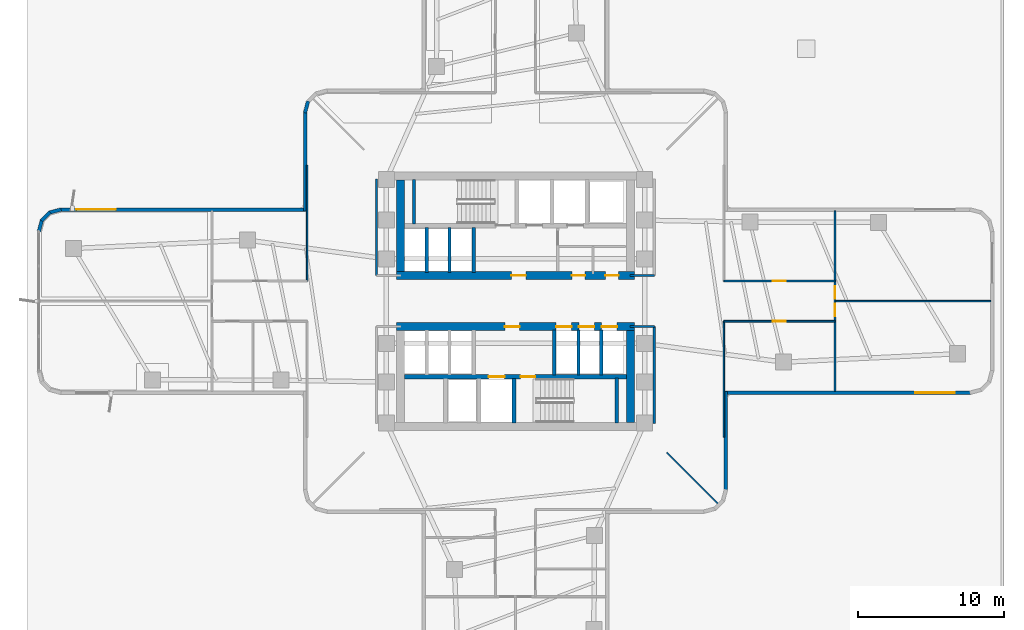
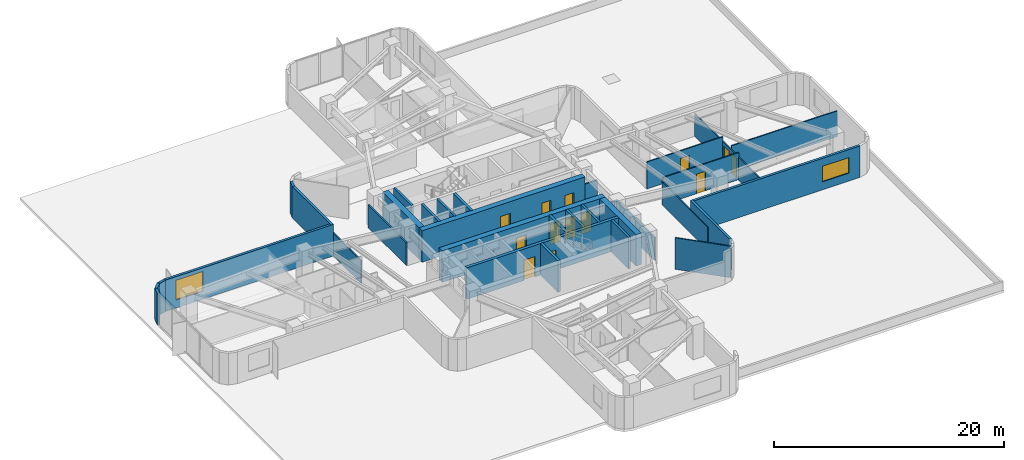
# One storey, part 9 of 14: 33 walls, 13 doors, 2 windows, 15 openings.
"""IFC4 building model written with IfcOpenShell, lengths in metres."""

from ifc_helpers import new_model, si_unit, direction, frame, frame_2d, origin, place, context, subcontext, project, spatial, rectangle, extrude, material, layer, layer_set, type_object, element, fill, save


model = new_model("IFC4")

# Units and contexts
model_context = context("Model", 3, precision=1e-05, world=origin(), true_north=direction((0.0, 1.0)))
body_context = subcontext(model_context, "Body", "Model", "MODEL_VIEW")
ifc_project = project(units=[si_unit("LENGTHUNIT", "METRE"), si_unit("AREAUNIT", "SQUARE_METRE"), si_unit("VOLUMEUNIT", "CUBIC_METRE"), si_unit("PLANEANGLEUNIT", "RADIAN"), si_unit("MASSUNIT", "GRAM", prefix="KILO")], contexts=[model_context])

# Site, building, storey
site_placement = place(None, origin())
site = spatial("IfcSite", under=ifc_project, at=site_placement, CompositionType="ELEMENT")
building_placement = place(site_placement, origin())
building = spatial("IfcBuilding", under=site, at=building_placement, Name="Solmarez Civic Tower", CompositionType="ELEMENT")
storey_placement = place(building_placement, frame((0.0, 0.0, 24.47998046875)))
storey = spatial("IfcBuildingStorey", under=building, at=storey_placement, Name="L05", CompositionType="ELEMENT", Elevation=24.47998046875)

# Wall, openings, doors
ifc_material_1 = material(Name="Concrete C60/75", Category="concrete")
ifc_layer_1 = layer(ifc_material_1, 0.550048828125)
ifc_layer_set_1 = layer_set([ifc_layer_1], Name="Concrete C60/75")
wall_type_1 = type_object("IfcWallType", Name="WALL-CORE-550", PredefinedType="SHEAR", material=ifc_layer_set_1)
wall_1_placement = place(storey_placement, frame((8.169921875, 1.75, 0.0), z_axis=(0.0, 0.0, 1.0), x_axis=(-1.0, 0.0, 0.0)))
wall_1 = element("IfcWall", 1, at=wall_1_placement, inside=storey, type_object=wall_type_1, Name="L05 Split-Core Structural Wall NCW-S-L05", PredefinedType="SHEAR", context=body_context, shape_type="SweptSolid", body=[
    extrude(rectangle(XDim=16.33984375, YDim=0.550048828125, at=frame_2d((8.169921875, 0.0))), origin(), (0.0, 0.0, 1.0), 3.340087890625),
])
opening_1_placement = place(wall_1_placement, frame((7.449951171875, 0.0, 0.0)))
opening_1 = element("IfcOpeningElement", 2, at=opening_1_placement, cuts=wall_1, Name="Opening D-04", PredefinedType="OPENING", context=body_context, shape_type="SweptSolid", body=[
    extrude(rectangle(XDim=1.0, YDim=2.10009765625, at=frame_2d((0.5, 1.050048828125))), frame((0.0, 0.284912109375, 0.0), z_axis=(0.0, -1.0, 0.0), x_axis=(1.0, 0.0, 0.0)), (0.0, 0.0, 1.0), 0.570068359375),
])
opening_2_placement = place(wall_1_placement, frame((3.39990234375, 0.0, 0.0)))
opening_2 = element("IfcOpeningElement", 3, at=opening_2_placement, cuts=wall_1, Name="Opening D-09", PredefinedType="OPENING", context=body_context, shape_type="SweptSolid", body=[
    extrude(rectangle(XDim=0.89990234375, YDim=2.06005859375, at=frame_2d((0.449951171875, 1.030029296875))), frame((0.0, 0.284912109375, 0.0), z_axis=(0.0, -1.0, 0.0), x_axis=(1.0, 0.0, 0.0)), (0.0, 0.0, 1.0), 0.570068359375),
])
opening_3_placement = place(wall_1_placement, frame((1.10009765625, 0.0, 0.0)))
opening_3 = element("IfcOpeningElement", 4, at=opening_3_placement, cuts=wall_1, Name="Opening D-09", PredefinedType="OPENING", context=body_context, shape_type="SweptSolid", body=[
    extrude(rectangle(XDim=0.89990234375, YDim=2.06005859375, at=frame_2d((0.449951171875, 1.030029296875))), frame((0.0, 0.284912109375, 0.0), z_axis=(0.0, -1.0, 0.0), x_axis=(1.0, 0.0, 0.0)), (0.0, 0.0, 1.0), 0.570068359375),
])
ifc_material_2 = material(Name="Steel-Faced Acoustic Fire Door", Category="steel")
door_type_1 = type_object("IfcDoorType", Name="DOOR-FD60-1000", OperationType="NOTDEFINED", PredefinedType="DOOR", material=ifc_material_2)
door_1_placement = place(opening_1_placement, origin())
door_1 = element("IfcDoor", 5, at=door_1_placement, inside=storey, type_object=door_type_1, Name="L05 North Firefighting Lobby Door", OperationType="SINGLE_SWING_RIGHT", OverallHeight=2.10009765625, OverallWidth=1.0, PredefinedType="DOOR", context=body_context, shape_type="SweptSolid", body=[
    extrude(rectangle(XDim=1.0, YDim=2.10009765625, at=frame_2d((0.5, 1.050048828125))), frame((0.0, 0.02490234375, 0.0), z_axis=(0.0, -1.0, 0.0), x_axis=(1.0, 0.0, 0.0)), (0.0, 0.0, 1.0), 0.050048828125),
])
fill(opening_1, door_1)
ifc_material_3 = material(Name="Fire-Rated Service Core Door", Category="wood")
door_type_2 = type_object("IfcDoorType", Name="DOOR-FD60-900", OperationType="NOTDEFINED", PredefinedType="DOOR", material=ifc_material_3)
door_2_placement = place(opening_2_placement, origin())
door_2 = element("IfcDoor", 6, at=door_2_placement, inside=storey, type_object=door_type_2, Name="L05 Core WC Door", OperationType="SINGLE_SWING_LEFT", OverallHeight=2.06005859375, OverallWidth=0.89990234375, PredefinedType="DOOR", context=body_context, shape_type="SweptSolid", body=[
    extrude(rectangle(XDim=0.89990234375, YDim=2.06005859375, at=frame_2d((0.449951171875, 1.030029296875))), frame((0.0, 0.02490234375, 0.0), z_axis=(0.0, -1.0, 0.0), x_axis=(1.0, 0.0, 0.0)), (0.0, 0.0, 1.0), 0.050048828125),
])
fill(opening_2, door_2)
door_3_placement = place(opening_3_placement, origin())
door_3 = element("IfcDoor", 7, at=door_3_placement, inside=storey, type_object=door_type_2, Name="L05 Core CL Door", OperationType="SINGLE_SWING_RIGHT", OverallHeight=2.06005859375, OverallWidth=0.89990234375, PredefinedType="DOOR", context=body_context, shape_type="SweptSolid", body=[
    extrude(rectangle(XDim=0.89990234375, YDim=2.06005859375, at=frame_2d((0.449951171875, 1.030029296875))), frame((0.0, 0.02490234375, 0.0), z_axis=(0.0, -1.0, 0.0), x_axis=(1.0, 0.0, 0.0)), (0.0, 0.0, 1.0), 0.050048828125),
])
fill(opening_3, door_3)

# Wall
wall_2_placement = place(storey_placement, frame((-7.89501953125, 2.02490234375, 0.0), z_axis=(0.0, 0.0, 1.0), x_axis=(0.0, 1.0, 0.0)))
element("IfcWall", 8, at=wall_2_placement, inside=storey, type_object=wall_type_1, Name="L05 Split-Core Structural Wall NCW-W-L05", PredefinedType="SHEAR", context=body_context, shape_type="SweptSolid", body=[
    extrude(rectangle(XDim=6.28515625, YDim=0.550048828125, at=frame_2d((3.142578125, 0.0))), origin(), (0.0, 0.0, 1.0), 3.340087890625),
])

# Wall, openings, doors
wall_3_placement = place(storey_placement, frame((-8.169921875, -1.75, 0.0), z_axis=(0.0, 0.0, 1.0), x_axis=(1.0, 0.0, 0.0)))
wall_3 = element("IfcWall", 9, at=wall_3_placement, inside=storey, type_object=wall_type_1, Name="L05 Split-Core Structural Wall SCW-N-L05", PredefinedType="SHEAR", context=body_context, shape_type="SweptSolid", body=[
    extrude(rectangle(XDim=16.33984375, YDim=0.550048828125, at=frame_2d((8.169921875, 0.0))), origin(), (0.0, 0.0, 1.0), 3.340087890625),
])
opening_4_placement = place(wall_3_placement, frame((7.449951171875, 0.0, 0.0)))
opening_4 = element("IfcOpeningElement", 10, at=opening_4_placement, cuts=wall_3, Name="Opening D-04", PredefinedType="OPENING", context=body_context, shape_type="SweptSolid", body=[
    extrude(rectangle(XDim=1.0, YDim=2.10009765625, at=frame_2d((0.5, 1.050048828125))), frame((0.0, 0.284912109375, 0.0), z_axis=(0.0, -1.0, 0.0), x_axis=(1.0, 0.0, 0.0)), (0.0, 0.0, 1.0), 0.570068359375),
])
opening_5_placement = place(wall_3_placement, frame((10.965087890625, 0.0, 0.0)))
opening_5 = element("IfcOpeningElement", 11, at=opening_5_placement, cuts=wall_3, Name="Opening LD-01", PredefinedType="OPENING", context=body_context, shape_type="SweptSolid", body=[
    extrude(rectangle(XDim=1.050048828125, YDim=2.14990234375, at=frame_2d((0.52490234375, 1.074951171875))), frame((0.0, 0.284912109375, 0.0), z_axis=(0.0, -1.0, 0.0), x_axis=(1.0, 0.0, 0.0)), (0.0, 0.0, 1.0), 0.570068359375),
])
opening_6_placement = place(wall_3_placement, frame((12.52490234375, 0.0, 0.0)))
opening_6 = element("IfcOpeningElement", 12, at=opening_6_placement, cuts=wall_3, Name="Opening LD-01", PredefinedType="OPENING", context=body_context, shape_type="SweptSolid", body=[
    extrude(rectangle(XDim=1.050048828125, YDim=2.14990234375, at=frame_2d((0.52490234375, 1.074951171875))), frame((0.0, 0.284912109375, 0.0), z_axis=(0.0, -1.0, 0.0), x_axis=(1.0, 0.0, 0.0)), (0.0, 0.0, 1.0), 0.570068359375),
])
opening_7_placement = place(wall_3_placement, frame((14.0849609375, 0.0, 0.0)))
opening_7 = element("IfcOpeningElement", 13, at=opening_7_placement, cuts=wall_3, Name="Opening LD-01", PredefinedType="OPENING", context=body_context, shape_type="SweptSolid", body=[
    extrude(rectangle(XDim=1.050048828125, YDim=2.14990234375, at=frame_2d((0.52490234375, 1.074951171875))), frame((0.0, 0.284912109375, 0.0), z_axis=(0.0, -1.0, 0.0), x_axis=(1.0, 0.0, 0.0)), (0.0, 0.0, 1.0), 0.570068359375),
])
door_4_placement = place(opening_4_placement, origin())
door_4 = element("IfcDoor", 14, at=door_4_placement, inside=storey, type_object=door_type_1, Name="L05 South Firefighting Lobby Door", OperationType="SINGLE_SWING_LEFT", OverallHeight=2.10009765625, OverallWidth=1.0, PredefinedType="DOOR", context=body_context, shape_type="SweptSolid", body=[
    extrude(rectangle(XDim=1.0, YDim=2.10009765625, at=frame_2d((0.5, 1.050048828125))), frame((0.0, 0.02490234375, 0.0), z_axis=(0.0, -1.0, 0.0), x_axis=(1.0, 0.0, 0.0)), (0.0, 0.0, 1.0), 0.050048828125),
])
fill(opening_4, door_4)
ifc_material_4 = material(Name="Bronze Passenger Lift Landing Sliding Door", Category="aluminium")
door_type_3 = type_object("IfcDoorType", Name="DOOR-LD-PAX-1050", OperationType="DOUBLE_DOOR_SLIDING", PredefinedType="DOOR", material=ifc_material_4)
door_5_placement = place(opening_5_placement, origin())
door_5 = element("IfcDoor", 15, at=door_5_placement, inside=storey, type_object=door_type_3, Name="L05 Low-Rise Lift Landing Door PL-L1", OperationType="DOUBLE_DOOR_SLIDING", OverallHeight=2.14990234375, OverallWidth=1.050048828125, PredefinedType="DOOR", context=body_context, shape_type="SweptSolid", body=[
    extrude(rectangle(XDim=1.050048828125, YDim=2.14990234375, at=frame_2d((0.52490234375, 1.074951171875))), frame((0.0, 0.02490234375, 0.0), z_axis=(0.0, -1.0, 0.0), x_axis=(1.0, 0.0, 0.0)), (0.0, 0.0, 1.0), 0.050048828125),
])
fill(opening_5, door_5)
door_6_placement = place(opening_6_placement, origin())
door_6 = element("IfcDoor", 16, at=door_6_placement, inside=storey, type_object=door_type_3, Name="L05 Low-Rise Lift Landing Door PL-L2", OperationType="DOUBLE_DOOR_SLIDING", OverallHeight=2.14990234375, OverallWidth=1.050048828125, PredefinedType="DOOR", context=body_context, shape_type="SweptSolid", body=[
    extrude(rectangle(XDim=1.050048828125, YDim=2.14990234375, at=frame_2d((0.52490234375, 1.074951171875))), frame((0.0, 0.02490234375, 0.0), z_axis=(0.0, -1.0, 0.0), x_axis=(1.0, 0.0, 0.0)), (0.0, 0.0, 1.0), 0.050048828125),
])
fill(opening_6, door_6)
door_7_placement = place(opening_7_placement, origin())
door_7 = element("IfcDoor", 17, at=door_7_placement, inside=storey, type_object=door_type_3, Name="L05 Low-Rise Lift Landing Door PL-L3", OperationType="DOUBLE_DOOR_SLIDING", OverallHeight=2.14990234375, OverallWidth=1.050048828125, PredefinedType="DOOR", context=body_context, shape_type="SweptSolid", body=[
    extrude(rectangle(XDim=1.050048828125, YDim=2.14990234375, at=frame_2d((0.52490234375, 1.074951171875))), frame((0.0, 0.02490234375, 0.0), z_axis=(0.0, -1.0, 0.0), x_axis=(1.0, 0.0, 0.0)), (0.0, 0.0, 1.0), 0.050048828125),
])
fill(opening_7, door_7)

# Walls
wall_4_placement = place(storey_placement, frame((7.89501953125, -2.02490234375, 0.0), z_axis=(0.0, 0.0, 1.0), x_axis=(0.0, -1.0, 0.0)))
element("IfcWall", 18, at=wall_4_placement, inside=storey, type_object=wall_type_1, Name="L05 Split-Core Structural Wall SCW-E-L05", PredefinedType="SHEAR", context=body_context, shape_type="SweptSolid", body=[
    extrude(rectangle(XDim=6.28515625, YDim=0.550048828125, at=frame_2d((3.142578125, 0.0))), origin(), (0.0, 0.0, 1.0), 3.340087890625),
])
ifc_material_5 = material(Name="Precast concrete C40/50", Category="concrete")
ifc_layer_2 = layer(ifc_material_5, 0.239990234375)
ifc_layer_set_2 = layer_set([ifc_layer_2], Name="Precast concrete C40/50")
wall_type_2 = type_object("IfcWallType", Name="WALL-EXT-240", PredefinedType="SOLIDWALL", material=ifc_layer_set_2)
wall_5_placement = place(storey_placement, frame((-32.68603515625, 4.760009765625, 0.0), z_axis=(0.0, 0.0, 1.0), x_axis=(0.257937227116, 0.966161677396, 0.0)))
element("IfcWall", 19, at=wall_5_placement, inside=storey, type_object=wall_type_2, Name="L05 Exterior Precast Wall 7", PredefinedType="SOLIDWALL", context=body_context, shape_type="SweptSolid", body=[
    extrude(rectangle(XDim=0.830078125, YDim=0.239990234375, at=frame_2d((0.4150390625, 0.0))), origin(), (0.0, 0.0, 1.0), 3.340087890625),
])
wall_6_placement = place(storey_placement, frame((-32.49609375, 5.52001953125, 0.0), z_axis=(0.0, 0.0, 1.0), x_axis=(0.707256607812, 0.706956922808, 0.0)))
element("IfcWall", 20, at=wall_6_placement, inside=storey, type_object=wall_type_2, Name="L05 Exterior Precast Wall 8", PredefinedType="SOLIDWALL", context=body_context, shape_type="SweptSolid", body=[
    extrude(rectangle(XDim=0.814697265625, YDim=0.239990234375, at=frame_2d((0.4072265625, 0.0))), origin(), (0.0, 0.0, 1.0), 3.340087890625),
])
wall_7_placement = place(storey_placement, frame((-31.9619140625, 6.072021484375, 0.0), z_axis=(0.0, 0.0, 1.0), x_axis=(0.966234939601, 0.25766265056, 0.0)))
element("IfcWall", 21, at=wall_7_placement, inside=storey, type_object=wall_type_2, Name="L05 Exterior Precast Wall 9", PredefinedType="SOLIDWALL", context=body_context, shape_type="SweptSolid", body=[
    extrude(rectangle(XDim=0.830078125, YDim=0.239990234375, at=frame_2d((0.4150390625, 0.0))), origin(), (0.0, 0.0, 1.0), 3.340087890625),
])

# Wall, opening, window
wall_8_placement = place(storey_placement, frame((-31.208984375, 6.280029296875, 0.0), z_axis=(0.0, 0.0, 1.0), x_axis=(1.0, 0.0, 0.0)))
wall_8 = element("IfcWall", 22, at=wall_8_placement, inside=storey, type_object=wall_type_2, Name="L05 Exterior Precast Wall 10", PredefinedType="SOLIDWALL", context=body_context, shape_type="SweptSolid", body=[
    extrude(rectangle(XDim=16.875, YDim=0.239990234375, at=frame_2d((8.4375, 0.0))), origin(), (0.0, 0.0, 1.0), 3.340087890625),
])
opening_8_placement = place(wall_8_placement, frame((1.10009765625, 0.0, 0.85009765625)))
opening_8 = element("IfcOpeningElement", 23, at=opening_8_placement, cuts=wall_8, Name="Opening W-01", PredefinedType="OPENING", context=body_context, shape_type="SweptSolid", body=[
    extrude(rectangle(XDim=2.699951171875, YDim=2.10009765625, at=frame_2d((1.35009765625, 1.050048828125))), frame((0.0, 0.1298828125, 0.0), z_axis=(0.0, -1.0, 0.0), x_axis=(1.0, 0.0, 0.0)), (0.0, 0.0, 1.0), 0.260009765625),
])
ifc_material_6 = material(Name="Solar Control Bronze-Tinted Insulating Glass", Category="glass")
window_type_1 = type_object("IfcWindowType", Name="WIN-2700X2100", PartitioningType="SINGLE_PANEL", PredefinedType="WINDOW", material=ifc_material_6)
window_1_placement = place(opening_8_placement, origin())
window_1 = element("IfcWindow", 24, at=window_1_placement, inside=storey, type_object=window_type_1, Name="L05 Exterior Facade Window 10", OverallHeight=2.10009765625, OverallWidth=2.699951171875, PartitioningType="SINGLE_PANEL", PredefinedType="WINDOW", context=body_context, shape_type="SweptSolid", body=[
    extrude(rectangle(XDim=2.699951171875, YDim=2.10009765625, at=frame_2d((1.35009765625, 1.050048828125))), frame((0.0, 0.030029296875, 0.0), z_axis=(0.0, -1.0, 0.0), x_axis=(1.0, 0.0, 0.0)), (0.0, 0.0, 1.0), 0.06005859375),
])
fill(opening_8, window_1)

# Walls
wall_9_placement = place(storey_placement, frame((-14.429931640625, 6.18408203125, 0.0), z_axis=(0.0, 0.0, 1.0), x_axis=(0.0, 1.0, 0.0)))
element("IfcWall", 25, at=wall_9_placement, inside=storey, type_object=wall_type_2, Name="L05 Exterior Precast Wall 13", PredefinedType="SOLIDWALL", context=body_context, shape_type="SweptSolid", body=[
    extrude(rectangle(XDim=6.77490234375, YDim=0.239990234375, at=frame_2d((3.387451171875, 0.0))), origin(), (0.0, 0.0, 1.0), 3.340087890625),
])
wall_10_placement = place(storey_placement, frame((-14.43603515625, 12.909912109375, 0.0), z_axis=(0.0, 0.0, 1.0), x_axis=(0.257937227116, 0.966161677396, 0.0)))
element("IfcWall", 26, at=wall_10_placement, inside=storey, type_object=wall_type_2, Name="L05 Exterior Precast Wall 14", PredefinedType="SOLIDWALL", context=body_context, shape_type="SweptSolid", body=[
    extrude(rectangle(XDim=0.830078125, YDim=0.239990234375, at=frame_2d((0.4150390625, 0.0))), origin(), (0.0, 0.0, 1.0), 3.340087890625),
])

# Wall, opening, window
wall_11_placement = place(storey_placement, frame((31.208984375, -6.280029296875, 0.0), z_axis=(0.0, 0.0, 1.0), x_axis=(-1.0, 0.0, 0.0)))
wall_11 = element("IfcWall", 27, at=wall_11_placement, inside=storey, type_object=wall_type_2, Name="L05 Exterior Precast Wall 46", PredefinedType="SOLIDWALL", context=body_context, shape_type="SweptSolid", body=[
    extrude(rectangle(XDim=16.875, YDim=0.239990234375, at=frame_2d((8.4375, 0.0))), origin(), (0.0, 0.0, 1.0), 3.340087890625),
])
opening_9_placement = place(wall_11_placement, frame((1.10009765625, 0.0, 0.85009765625)))
opening_9 = element("IfcOpeningElement", 28, at=opening_9_placement, cuts=wall_11, Name="Opening W-09", PredefinedType="OPENING", context=body_context, shape_type="SweptSolid", body=[
    extrude(rectangle(XDim=2.699951171875, YDim=1.64990234375, at=frame_2d((1.35009765625, 0.824951171875))), frame((0.0, 0.1298828125, 0.0), z_axis=(0.0, -1.0, 0.0), x_axis=(1.0, 0.0, 0.0)), (0.0, 0.0, 1.0), 0.260009765625),
])
window_type_2 = type_object("IfcWindowType", Name="WIN-2700X1650", PartitioningType="SINGLE_PANEL", PredefinedType="WINDOW", material=ifc_material_6)
window_2_placement = place(opening_9_placement, origin())
window_2 = element("IfcWindow", 29, at=window_2_placement, inside=storey, type_object=window_type_2, Name="L05 Exterior Facade Window 46", OverallHeight=1.64990234375, OverallWidth=2.699951171875, PartitioningType="SINGLE_PANEL", PredefinedType="WINDOW", context=body_context, shape_type="SweptSolid", body=[
    extrude(rectangle(XDim=2.699951171875, YDim=1.64990234375, at=frame_2d((1.35009765625, 0.824951171875))), frame((0.0, 0.030029296875, 0.0), z_axis=(0.0, -1.0, 0.0), x_axis=(1.0, 0.0, 0.0)), (0.0, 0.0, 1.0), 0.06005859375),
])
fill(opening_9, window_2)

# Walls
wall_12_placement = place(storey_placement, frame((14.429931640625, -6.18408203125, 0.0), z_axis=(0.0, 0.0, 1.0), x_axis=(0.0, -1.0, 0.0)))
element("IfcWall", 30, at=wall_12_placement, inside=storey, type_object=wall_type_2, Name="L05 Exterior Precast Wall 49", PredefinedType="SOLIDWALL", context=body_context, shape_type="SweptSolid", body=[
    extrude(rectangle(XDim=6.77490234375, YDim=0.239990234375, at=frame_2d((3.387451171875, 0.0))), origin(), (0.0, 0.0, 1.0), 3.340087890625),
])
ifc_material_7 = material(Name="Gypsum Board Acoustic Steel-Stud Partition", Category="steel")
ifc_layer_3 = layer(ifc_material_7, 0.14990234375)
ifc_layer_set_3 = layer_set([ifc_layer_3], Name="Gypsum Board Acoustic Steel-Stud Partition")
wall_type_3 = type_object("IfcWallType", Name="WALL-INT-FIRE-150", PredefinedType="PARTITIONING", material=ifc_layer_set_3)
wall_13_placement = place(storey_placement, frame((-9.52001953125, 1.75, 0.0), z_axis=(0.0, 0.0, 1.0), x_axis=(0.0, 1.0, 0.0)))
element("IfcWall", 31, at=wall_13_placement, inside=storey, type_object=wall_type_3, Name="L05 Interior Partition CHW-L05-WN1", PredefinedType="PARTITIONING", context=body_context, shape_type="SweptSolid", body=[
    extrude(rectangle(XDim=6.6298828125, YDim=0.14990234375, at=frame_2d((3.31494140625, 0.0))), origin(), (0.0, 0.0, 1.0), 2.4208984375),
])
wall_14_placement = place(storey_placement, frame((7.85009765625, 1.75, 0.0), z_axis=(0.0, 0.0, 1.0), x_axis=(1.0, 0.0, 0.0)))
element("IfcWall", 32, at=wall_14_placement, inside=storey, type_object=wall_type_3, Name="L05 Interior Partition CHW-L05-EN3", PredefinedType="PARTITIONING", context=body_context, shape_type="SweptSolid", body=[
    extrude(rectangle(XDim=1.669921875, YDim=0.14990234375, at=frame_2d((0.8349609375, 0.0))), origin(), (0.0, 0.0, 1.0), 2.405029296875),
])
wall_15_placement = place(storey_placement, frame((9.52001953125, -8.3798828125, 0.0), z_axis=(0.0, 0.0, 1.0), x_axis=(0.0, 1.0, 0.0)))
element("IfcWall", 33, at=wall_15_placement, inside=storey, type_object=wall_type_3, Name="L05 Interior Partition CHW-L05-ES1", PredefinedType="PARTITIONING", context=body_context, shape_type="SweptSolid", body=[
    extrude(rectangle(XDim=6.6298828125, YDim=0.14990234375, at=frame_2d((3.31494140625, 0.0))), origin(), (0.0, 0.0, 1.0), 2.4208984375),
])
wall_16_placement = place(storey_placement, frame((7.85009765625, -1.75, 0.0), z_axis=(0.0, 0.0, 1.0), x_axis=(1.0, 0.0, 0.0)))
element("IfcWall", 34, at=wall_16_placement, inside=storey, type_object=wall_type_3, Name="L05 Interior Partition CHW-L05-ES3", PredefinedType="PARTITIONING", context=body_context, shape_type="SweptSolid", body=[
    extrude(rectangle(XDim=1.669921875, YDim=0.14990234375, at=frame_2d((0.8349609375, 0.0))), origin(), (0.0, 0.0, 1.0), 2.405029296875),
])
ifc_layer_4 = layer(ifc_material_7, 0.110107421875)
ifc_layer_set_4 = layer_set([ifc_layer_4], Name="Gypsum Board Acoustic Steel-Stud Partition")
wall_type_4 = type_object("IfcWallType", Name="WALL-INT-PART-110", PredefinedType="PARTITIONING", material=ifc_layer_set_4)
wall_17_placement = place(storey_placement, frame((10.3798828125, -10.3798828125, 0.0), z_axis=(0.0, 0.0, 1.0), x_axis=(0.707106781187, -0.707106781187, 0.0)))
element("IfcWall", 35, at=wall_17_placement, inside=storey, type_object=wall_type_4, Name="L05 Interior Partition PT-L05-QDIV-4", PredefinedType="PARTITIONING", context=body_context, shape_type="SweptSolid", body=[
    extrude(rectangle(XDim=4.975341796875, YDim=0.110107421875, at=frame_2d((2.48779296875, 0.0))), origin(), (0.0, 0.0, 1.0), 3.340087890625),
])
wall_18_placement = place(storey_placement, frame((14.2900390625, -9.320068359375, 0.0), z_axis=(0.0, 0.0, 1.0), x_axis=(0.0, 1.0, 0.0)))
element("IfcWall", 36, at=wall_18_placement, inside=storey, type_object=wall_type_4, Name="L05 Interior Partition PT-L05-E-EFR", PredefinedType="PARTITIONING", context=body_context, shape_type="SweptSolid", body=[
    extrude(rectangle(XDim=7.949951171875, YDim=0.110107421875, at=frame_2d((3.97509765625, 0.0))), origin(), (0.0, 0.0, 1.0), 2.4208984375),
])

# Wall, opening, door
wall_19_placement = place(storey_placement, frame((21.909912109375, 1.3798828125, 0.0), z_axis=(0.0, 0.0, 1.0), x_axis=(-1.0, 0.0, 0.0)))
wall_19 = element("IfcWall", 37, at=wall_19_placement, inside=storey, type_object=wall_type_4, Name="L05 Interior Partition PT-L05-E-SL", PredefinedType="PARTITIONING", context=body_context, shape_type="SweptSolid", body=[
    extrude(rectangle(XDim=7.619873046875, YDim=0.110107421875, at=frame_2d((3.81005859375, 0.0))), origin(), (0.0, 0.0, 1.0), 2.869140625),
])
opening_10_placement = place(wall_19_placement, frame((3.360107421875, 0.0, 0.0)))
opening_10 = element("IfcOpeningElement", 38, at=opening_10_placement, cuts=wall_19, Name="Opening D-08", PredefinedType="OPENING", context=body_context, shape_type="SweptSolid", body=[
    extrude(rectangle(XDim=0.89990234375, YDim=2.06005859375, at=frame_2d((0.449951171875, 1.030029296875))), frame((0.0, 0.06494140625, 0.0), z_axis=(0.0, -1.0, 0.0), x_axis=(1.0, 0.0, 0.0)), (0.0, 0.0, 1.0), 0.130126953125),
])
ifc_material_8 = material(Name="Solid-Core Timber Office Door", Category="wood")
door_type_4 = type_object("IfcDoorType", Name="DOOR-INT-900", OperationType="NOTDEFINED", PredefinedType="DOOR", material=ifc_material_8)
door_8_placement = place(opening_10_placement, origin())
door_8 = element("IfcDoor", 39, at=door_8_placement, inside=storey, type_object=door_type_4, Name="L05 Ministry Open Workspace East Door", OperationType="SINGLE_SWING_LEFT", OverallHeight=2.06005859375, OverallWidth=0.89990234375, PredefinedType="DOOR", context=body_context, shape_type="SweptSolid", body=[
    extrude(rectangle(XDim=0.89990234375, YDim=2.06005859375, at=frame_2d((0.449951171875, 1.030029296875))), frame((0.0, 0.02490234375, 0.0), z_axis=(0.0, -1.0, 0.0), x_axis=(1.0, 0.0, 0.0)), (0.0, 0.0, 1.0), 0.050048828125),
])
fill(opening_10, door_8)

wall_20_placement = place(storey_placement, frame((14.2900390625, -1.3798828125, 0.0), z_axis=(0.0, 0.0, 1.0), x_axis=(1.0, 0.0, 0.0)))
wall_20 = element("IfcWall", 40, at=wall_20_placement, inside=storey, type_object=wall_type_4, Name="L05 Interior Partition PT-L05-E-SR", PredefinedType="PARTITIONING", context=body_context, shape_type="SweptSolid", body=[
    extrude(rectangle(XDim=7.619873046875, YDim=0.110107421875, at=frame_2d((3.81005859375, 0.0))), origin(), (0.0, 0.0, 1.0), 2.869140625),
])
opening_11_placement = place(wall_20_placement, frame((3.360107421875, 0.0, 0.0)))
opening_11 = element("IfcOpeningElement", 41, at=opening_11_placement, cuts=wall_20, Name="Opening D-08", PredefinedType="OPENING", context=body_context, shape_type="SweptSolid", body=[
    extrude(rectangle(XDim=0.89990234375, YDim=2.06005859375, at=frame_2d((0.449951171875, 1.030029296875))), frame((0.0, 0.06494140625, 0.0), z_axis=(0.0, -1.0, 0.0), x_axis=(1.0, 0.0, 0.0)), (0.0, 0.0, 1.0), 0.130126953125),
])
door_9_placement = place(opening_11_placement, origin())
door_9 = element("IfcDoor", 42, at=door_9_placement, inside=storey, type_object=door_type_4, Name="L05 Directorate Office East Door", OperationType="SINGLE_SWING_RIGHT", OverallHeight=2.06005859375, OverallWidth=0.89990234375, PredefinedType="DOOR", context=body_context, shape_type="SweptSolid", body=[
    extrude(rectangle(XDim=0.89990234375, YDim=2.06005859375, at=frame_2d((0.449951171875, 1.030029296875))), frame((0.0, 0.02490234375, 0.0), z_axis=(0.0, -1.0, 0.0), x_axis=(1.0, 0.0, 0.0)), (0.0, 0.0, 1.0), 0.050048828125),
])
fill(opening_11, door_9)

# Wall
wall_21_placement = place(storey_placement, frame((21.969970703125, 0.0, 0.0), z_axis=(0.0, 0.0, 1.0), x_axis=(1.0, 0.0, 0.0)))
element("IfcWall", 43, at=wall_21_placement, inside=storey, type_object=wall_type_4, Name="L05 Interior Partition PT-L05-E-TM", PredefinedType="PARTITIONING", context=body_context, shape_type="SweptSolid", body=[
    extrude(rectangle(XDim=10.625, YDim=0.110107421875, at=frame_2d((5.3125, 0.0))), origin(), (0.0, 0.0, 1.0), 2.719970703125),
])

# Wall, openings, doors
wall_22_placement = place(storey_placement, frame((21.909912109375, 6.195068359375, 0.0), z_axis=(0.0, 0.0, 1.0), x_axis=(0.0, -1.0, 0.0)))
wall_22 = element("IfcWall", 44, at=wall_22_placement, inside=storey, type_object=wall_type_4, Name="L05 Interior Partition PT-L05-E-END", PredefinedType="PARTITIONING", context=body_context, shape_type="SweptSolid", body=[
    extrude(rectangle(XDim=12.39013671875, YDim=0.110107421875, at=frame_2d((6.195068359375, 0.0))), origin(), (0.0, 0.0, 1.0), 2.4208984375),
])
opening_12_placement = place(wall_22_placement, frame((6.364990234375, 0.0, 0.0)))
opening_12 = element("IfcOpeningElement", 45, at=opening_12_placement, cuts=wall_22, Name="Opening D-14", PredefinedType="OPENING", context=body_context, shape_type="SweptSolid", body=[
    extrude(rectangle(XDim=0.860107421875, YDim=2.0400390625, at=frame_2d((0.43017578125, 1.02001953125))), frame((0.0, 0.06494140625, 0.0), z_axis=(0.0, -1.0, 0.0), x_axis=(1.0, 0.0, 0.0)), (0.0, 0.0, 1.0), 0.130126953125),
])
opening_13_placement = place(wall_22_placement, frame((5.1650390625, 0.0, 0.0)))
opening_13 = element("IfcOpeningElement", 46, at=opening_13_placement, cuts=wall_22, Name="Opening D-14", PredefinedType="OPENING", context=body_context, shape_type="SweptSolid", body=[
    extrude(rectangle(XDim=0.860107421875, YDim=2.0400390625, at=frame_2d((0.43017578125, 1.02001953125))), frame((0.0, 0.06494140625, 0.0), z_axis=(0.0, -1.0, 0.0), x_axis=(1.0, 0.0, 0.0)), (0.0, 0.0, 1.0), 0.130126953125),
])
ifc_material_9 = material(Name="Timber Storage and Pantry Door", Category="wood")
door_type_5 = type_object("IfcDoorType", Name="DOOR-INT-850", OperationType="NOTDEFINED", PredefinedType="DOOR", material=ifc_material_9)
door_10_placement = place(opening_12_placement, origin())
door_10 = element("IfcDoor", 47, at=door_10_placement, inside=storey, type_object=door_type_5, Name="L05 Staff Pantry Sixth East Door", OperationType="SINGLE_SWING_RIGHT", OverallHeight=2.0400390625, OverallWidth=0.860107421875, PredefinedType="DOOR", context=body_context, shape_type="SweptSolid", body=[
    extrude(rectangle(XDim=0.860107421875, YDim=2.0400390625, at=frame_2d((0.43017578125, 1.02001953125))), frame((0.0, 0.02490234375, 0.0), z_axis=(0.0, -1.0, 0.0), x_axis=(1.0, 0.0, 0.0)), (0.0, 0.0, 1.0), 0.050048828125),
])
fill(opening_12, door_10)
door_11_placement = place(opening_13_placement, origin())
door_11 = element("IfcDoor", 48, at=door_11_placement, inside=storey, type_object=door_type_5, Name="L05 Policy Boardroom Fifth East Door", OperationType="SINGLE_SWING_LEFT", OverallHeight=2.0400390625, OverallWidth=0.860107421875, PredefinedType="DOOR", context=body_context, shape_type="SweptSolid", body=[
    extrude(rectangle(XDim=0.860107421875, YDim=2.0400390625, at=frame_2d((0.43017578125, 1.02001953125))), frame((0.0, 0.02490234375, 0.0), z_axis=(0.0, -1.0, 0.0), x_axis=(1.0, 0.0, 0.0)), (0.0, 0.0, 1.0), 0.050048828125),
])
fill(opening_13, door_11)

# Wall
wall_23_placement = place(storey_placement, frame((-14.2900390625, 9.320068359375, 0.0), z_axis=(0.0, 0.0, 1.0), x_axis=(0.0, -1.0, 0.0)))
element("IfcWall", 49, at=wall_23_placement, inside=storey, type_object=wall_type_4, Name="L05 Interior Partition PT-L05-W-EFR", PredefinedType="PARTITIONING", context=body_context, shape_type="SweptSolid", body=[
    extrude(rectangle(XDim=7.949951171875, YDim=0.110107421875, at=frame_2d((3.97509765625, 0.0))), origin(), (0.0, 0.0, 1.0), 2.4208984375),
])

# Wall, openings, doors
ifc_material_10 = material(Name="Concrete C50/60", Category="concrete")
ifc_layer_5 = layer(ifc_material_10, 0.300048828125)
ifc_layer_set_5 = layer_set([ifc_layer_5], Name="Concrete C50/60")
wall_type_5 = type_object("IfcWallType", Name="WALL-STR-300", PredefinedType="SOLIDWALL", material=ifc_layer_set_5)
wall_24_placement = place(storey_placement, frame((-7.6201171875, -5.179931640625, 0.0), z_axis=(0.0, 0.0, 1.0), x_axis=(1.0, 0.0, 0.0)))
wall_24 = element("IfcWall", 50, at=wall_24_placement, inside=storey, type_object=wall_type_5, Name="L05 Split-Core Structural Wall SCW-M-L05", PredefinedType="SOLIDWALL", context=body_context, shape_type="SweptSolid", body=[
    extrude(rectangle(XDim=15.240234375, YDim=0.300048828125, at=frame_2d((7.6201171875, 0.0))), origin(), (0.0, 0.0, 1.0), 3.340087890625),
])
opening_14_placement = place(wall_24_placement, frame((5.77001953125, 0.0, 0.0)))
opening_14 = element("IfcOpeningElement", 51, at=opening_14_placement, cuts=wall_24, Name="Opening LD-02", PredefinedType="OPENING", context=body_context, shape_type="SweptSolid", body=[
    extrude(rectangle(XDim=1.10009765625, YDim=2.14990234375, at=frame_2d((0.550048828125, 1.074951171875))), frame((0.0, 0.159912109375, 0.0), z_axis=(0.0, -1.0, 0.0), x_axis=(1.0, 0.0, 0.0)), (0.0, 0.0, 1.0), 0.320068359375),
])
opening_15_placement = place(wall_24_placement, frame((7.969970703125, 0.0, 0.0)))
opening_15 = element("IfcOpeningElement", 52, at=opening_15_placement, cuts=wall_24, Name="Opening D-05", PredefinedType="OPENING", context=body_context, shape_type="SweptSolid", body=[
    extrude(rectangle(XDim=1.0, YDim=2.10009765625, at=frame_2d((0.5, 1.050048828125))), frame((0.0, 0.159912109375, 0.0), z_axis=(0.0, -1.0, 0.0), x_axis=(1.0, 0.0, 0.0)), (0.0, 0.0, 1.0), 0.320068359375),
])
ifc_material_11 = material(Name="Fire-Rated Stairwell Exit Door", Category="wood")
door_type_6 = type_object("IfcDoorType", Name="DOOR-FD90-1000", OperationType="NOTDEFINED", PredefinedType="DOOR", material=ifc_material_11)
door_12_placement = place(opening_15_placement, origin())
door_12 = element("IfcDoor", 53, at=door_12_placement, inside=storey, type_object=door_type_6, Name="L05 South Exit Stair Door ST-2", OperationType="SINGLE_SWING_LEFT", OverallHeight=2.10009765625, OverallWidth=1.0, PredefinedType="DOOR", context=body_context, shape_type="SweptSolid", body=[
    extrude(rectangle(XDim=1.0, YDim=2.10009765625, at=frame_2d((0.5, 1.050048828125))), frame((0.0, 0.02490234375, 0.0), z_axis=(0.0, -1.0, 0.0), x_axis=(1.0, 0.0, 0.0)), (0.0, 0.0, 1.0), 0.050048828125),
])
fill(opening_15, door_12)
ifc_material_12 = material(Name="Stainless Firefighting Lift Landing Sliding Door", Category="aluminium")
door_type_7 = type_object("IfcDoorType", Name="DOOR-LD-FF-1100", OperationType="DOUBLE_DOOR_SLIDING", PredefinedType="DOOR", material=ifc_material_12)
door_13_placement = place(opening_14_placement, origin())
door_13 = element("IfcDoor", 54, at=door_13_placement, inside=storey, type_object=door_type_7, Name="L05 Firefighting Lift Landing Door FFL-2", OperationType="DOUBLE_DOOR_SLIDING", OverallHeight=2.14990234375, OverallWidth=1.10009765625, PredefinedType="DOOR", context=body_context, shape_type="SweptSolid", body=[
    extrude(rectangle(XDim=1.10009765625, YDim=2.14990234375, at=frame_2d((0.550048828125, 1.074951171875))), frame((0.0, 0.02490234375, 0.0), z_axis=(0.0, -1.0, 0.0), x_axis=(1.0, 0.0, 0.0)), (0.0, 0.0, 1.0), 0.050048828125),
])
fill(opening_14, door_13)

# Walls
for number, where, z_axis, x_axis, name in (
    (55, (-6.949951171875, 5.280029296875, 0.0), (0.0, 0.0, 1.0), (0.0, 1.0, 0.0), "L05 Split-Core Structural Wall SHW-NW-L05"),
    (56, (6.949951171875, -8.340087890625, 0.0), (0.0, 0.0, 1.0), (0.0, 1.0, 0.0), "L05 Split-Core Structural Wall SHW-SE-L05"),
):
    element("IfcWall", number, at=place(storey_placement, frame(where, z_axis=z_axis, x_axis=x_axis)), inside=storey, type_object=wall_type_5, Name=name, PredefinedType="SOLIDWALL", context=body_context, shape_type="SweptSolid", body=[
        extrude(rectangle(XDim=3.06005859375, YDim=0.219970703125, at=frame_2d((1.530029296875, 0.0))), origin(), (0.0, 0.0, 1.0), 3.340087890625),
    ])
wall_25_placement = place(storey_placement, frame((-2.85009765625, 1.97998046875, 0.0), z_axis=(0.0, 0.0, 1.0), x_axis=(0.0, 1.0, 0.0)))
element("IfcWall", 57, at=wall_25_placement, inside=storey, type_object=wall_type_5, Name="L05 Split-Core Structural Wall SHW-NL1-L05", PredefinedType="SOLIDWALL", context=body_context, shape_type="SweptSolid", body=[
    extrude(rectangle(XDim=3.070068359375, YDim=0.25, at=frame_2d((1.53515625, 0.0))), origin(), (0.0, 0.0, 1.0), 3.340087890625),
])
wall_26_placement = place(storey_placement, frame((-0.10009765625, -8.340087890625, 0.0), z_axis=(0.0, 0.0, 1.0), x_axis=(0.0, 1.0, 0.0)))
element("IfcWall", 58, at=wall_26_placement, inside=storey, type_object=wall_type_5, Name="L05 Split-Core Structural Wall SHW-S1-L05", PredefinedType="SOLIDWALL", context=body_context, shape_type="SweptSolid", body=[
    extrude(rectangle(XDim=3.0400390625, YDim=0.25, at=frame_2d((1.52001953125, 0.0))), origin(), (0.0, 0.0, 1.0), 3.340087890625),
])
wall_27_placement = place(storey_placement, frame((2.64990234375, -5.050048828125, 0.0), z_axis=(0.0, 0.0, 1.0), x_axis=(0.0, 1.0, 0.0)))
element("IfcWall", 59, at=wall_27_placement, inside=storey, type_object=wall_type_5, Name="L05 Split-Core Structural Wall SHW-SL2-L05", PredefinedType="SOLIDWALL", context=body_context, shape_type="SweptSolid", body=[
    extrude(rectangle(XDim=3.070068359375, YDim=0.25, at=frame_2d((1.53515625, 0.0))), origin(), (0.0, 0.0, 1.0), 3.340087890625),
])
for number, where, z_axis, x_axis, name in (
    (60, (-6.080078125, 1.97998046875, 0.0), (0.0, 0.0, 1.0), (0.0, 1.0, 0.0), "L05 Split-Core Structural Wall SHW-PLH-L05-1"),
    (61, (-4.52001953125, 1.97998046875, 0.0), (0.0, 0.0, 1.0), (0.0, 1.0, 0.0), "L05 Split-Core Structural Wall SHW-PLH-L05-2"),
    (62, (4.320068359375, -5.050048828125, 0.0), (0.0, 0.0, 1.0), (0.0, 1.0, 0.0), "L05 Split-Core Structural Wall SHW-PLL-L05-1"),
    (63, (5.8798828125, -5.050048828125, 0.0), (0.0, 0.0, 1.0), (0.0, 1.0, 0.0), "L05 Split-Core Structural Wall SHW-PLL-L05-2"),
):
    element("IfcWall", number, at=place(storey_placement, frame(where, z_axis=z_axis, x_axis=x_axis)), inside=storey, type_object=wall_type_5, Name=name, PredefinedType="SOLIDWALL", context=body_context, shape_type="SweptSolid", body=[
        extrude(rectangle(XDim=3.070068359375, YDim=0.219970703125, at=frame_2d((1.53515625, 0.0))), origin(), (0.0, 0.0, 1.0), 3.340087890625),
    ])

save(model, "model.ifc")
